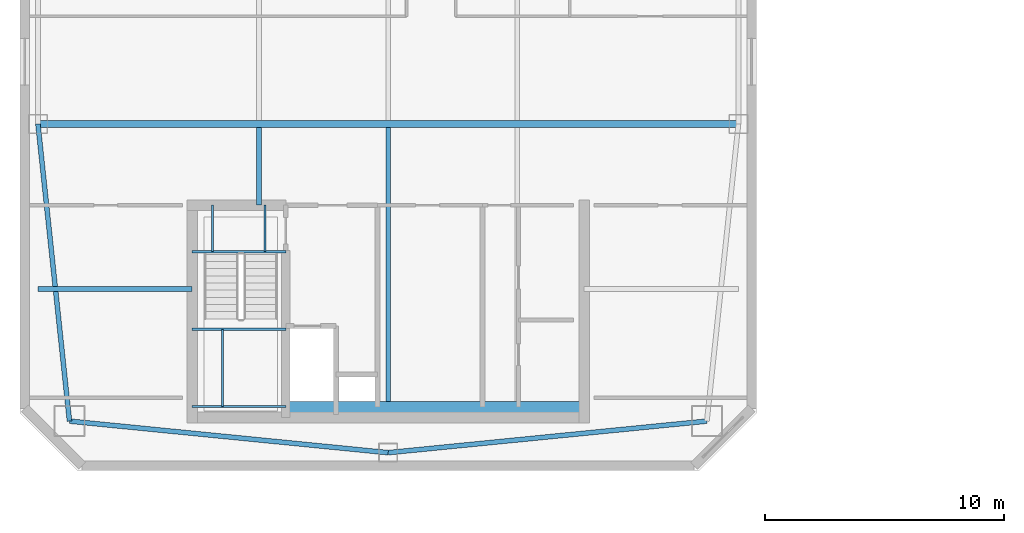
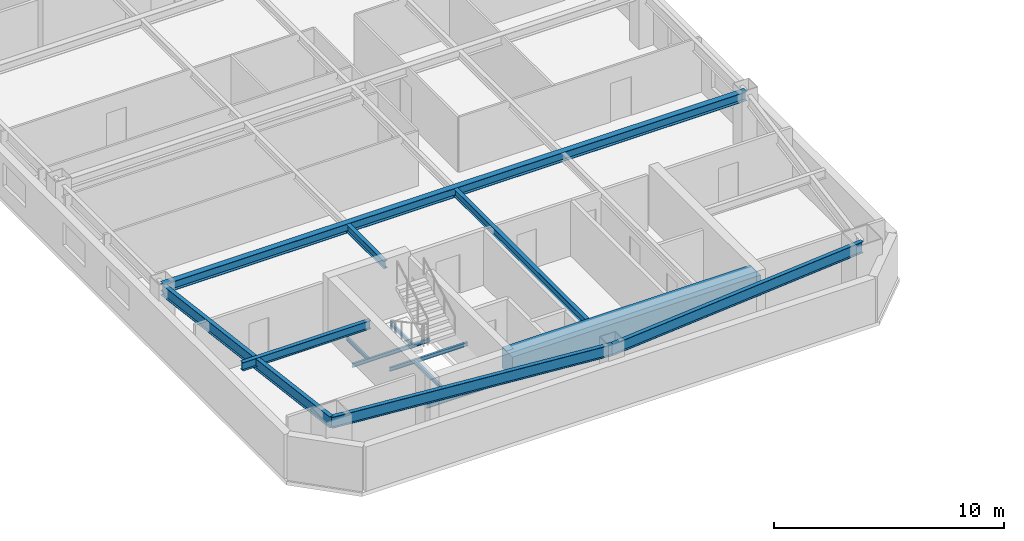
# One storey, part 3 of 20: 14 beams.
"""IFC4 building model written with IfcOpenShell, lengths in metres."""

from ifc_helpers import new_model, si_unit, direction, frame, origin, origin_2d, place, context, subcontext, project, spatial, rectangle, i_section, extrude, material, material_profile, profile_set, type_object, element, save


model = new_model("IFC4")

# Units and contexts
model_context = context("Model", 3, precision=1e-05, world=origin(), true_north=direction((0.0, 1.0)))
body_context = subcontext(model_context, "Body", "Model", "MODEL_VIEW")
ifc_project = project(units=[si_unit("LENGTHUNIT", "METRE"), si_unit("AREAUNIT", "SQUARE_METRE"), si_unit("VOLUMEUNIT", "CUBIC_METRE"), si_unit("PLANEANGLEUNIT", "RADIAN"), si_unit("MASSUNIT", "GRAM", prefix="KILO")], contexts=[model_context])

# Site, building, storey
site_placement = place(None, origin())
site = spatial("IfcSite", under=ifc_project, at=site_placement, CompositionType="ELEMENT")
building_placement = place(site_placement, origin())
building = spatial("IfcBuilding", under=site, at=building_placement, Name="Qiaolan Cultural Towers", CompositionType="ELEMENT")
storey_placement = place(building_placement, frame((0.0, 0.0, 244.0)))
storey = spatial("IfcBuildingStorey", under=building, at=storey_placement, Name="L66", CompositionType="ELEMENT", Elevation=244.0)

# Beams
ifc_material_1 = material(Name="Steel Q355B", Category="steel")
ifc_material_profile_1 = material_profile(ifc_material_1, i_section(OverallWidth=0.300048828125, OverallDepth=0.488037109375, WebThickness=0.010986328125, FlangeThickness=0.01806640625, at=origin_2d()), Name="HM488x300x11x18")
ifc_profile_set_1 = profile_set([ifc_material_profile_1], Name="Steel Q355B")
beam_type_1 = type_object("IfcBeamType", Name="BM-HM488x300x11x18", PredefinedType="BEAM", material=ifc_profile_set_1)
beam_1_placement = place(storey_placement, frame((15.35009765625, 25.0, 2.696044921875), z_axis=(1.0, 0.0, 0.0), x_axis=(0.0, 1.0, 0.0)))
element("IfcBeam", 1, at=beam_1_placement, inside=storey, type_object=beam_type_1, Name="L66 T1 Primary Transverse Girder V1", PredefinedType="BEAM", context=body_context, shape_type="SweptSolid", body=[
    extrude(i_section(OverallWidth=0.300048828125, OverallDepth=0.488037109375, WebThickness=0.010986328125, FlangeThickness=0.01806640625, at=origin_2d()), origin(), (0.0, 0.0, 1.0), 29.2998046875),
])
ifc_material_2 = material(Name="Steel Q355B", Category="steel")
ifc_material_profile_2 = material_profile(ifc_material_2, i_section(OverallWidth=0.199951171875, OverallDepth=0.39990234375, WebThickness=0.008056640625, FlangeThickness=0.012939453125, at=origin_2d()), Name="HN400x200x8x13")
ifc_profile_set_2 = profile_set([ifc_material_profile_2], Name="Steel Q355B")
beam_type_2 = type_object("IfcBeamType", Name="BM-JST-HN400x200x8x13", PredefinedType="JOIST", material=ifc_profile_set_2)
beam_2_placement = place(storey_placement, frame((24.60009765625, 21.60009765625, 2.739990234375), z_axis=(0.0, 1.0, 0.0), x_axis=(-1.0, 0.0, 0.0)))
element("IfcBeam", 2, at=beam_2_placement, inside=storey, type_object=beam_type_2, Name="L66 T1 Secondary Floor Joist U1-1", PredefinedType="JOIST", context=body_context, shape_type="SweptSolid", body=[
    extrude(i_section(OverallWidth=0.199951171875, OverallDepth=0.39990234375, WebThickness=0.008056640625, FlangeThickness=0.012939453125, at=origin_2d()), origin(), (0.0, 0.0, 1.0), 3.25),
])
beam_3_placement = place(storey_placement, frame((30.0, 13.39990234375, 2.739990234375), z_axis=(0.0, 1.0, 0.0), x_axis=(-1.0, 0.0, 0.0)))
element("IfcBeam", 3, at=beam_3_placement, inside=storey, type_object=beam_type_2, Name="L66 T1 Secondary Floor Joist U2-1", PredefinedType="JOIST", context=body_context, shape_type="SweptSolid", body=[
    extrude(i_section(OverallWidth=0.199951171875, OverallDepth=0.39990234375, WebThickness=0.008056640625, FlangeThickness=0.012939453125, at=origin_2d()), origin(), (0.0, 0.0, 1.0), 11.4501953125),
])
ifc_material_3 = material(Name="Steel Q355B", Category="steel")
ifc_material_profile_3 = material_profile(ifc_material_3, i_section(OverallWidth=0.199951171875, OverallDepth=0.449951171875, WebThickness=0.009033203125, FlangeThickness=0.013916015625, at=origin_2d()), Name="HN450x200x9x14")
ifc_profile_set_3 = profile_set([ifc_material_profile_3], Name="Steel Q355B")
beam_type_3 = type_object("IfcBeamType", Name="BM-LNT-HN450x200x9x14", PredefinedType="LINTEL", material=ifc_profile_set_3)
beam_4_placement = place(storey_placement, frame((21.800048828125, 18.10009765625, 2.715087890625), z_axis=(-1.0, 0.0, 0.0), x_axis=(0.0, -1.0, 0.0)))
element("IfcBeam", 4, at=beam_4_placement, inside=storey, type_object=beam_type_3, Name="L66 T1 Core Flank Tie Lintel WS", PredefinedType="LINTEL", context=body_context, shape_type="SweptSolid", body=[
    extrude(i_section(OverallWidth=0.199951171875, OverallDepth=0.449951171875, WebThickness=0.009033203125, FlangeThickness=0.013916015625, at=origin_2d()), origin(), (0.0, 0.0, 1.0), 6.449951171875),
])
ifc_material_4 = material(Name="Concrete C50", Category="concrete")
ifc_material_profile_4 = material_profile(ifc_material_4, rectangle(XDim=0.89990234375, YDim=1.10009765625, at=origin_2d()), Name="RC900x1100")
ifc_profile_set_4 = profile_set([ifc_material_profile_4], Name="Concrete C50")
beam_type_4 = type_object("IfcBeamType", Name="BM-RC900x1100", PredefinedType="BEAM", material=ifc_profile_set_4)
beam_5_placement = place(storey_placement, frame((25.719970703125, 12.949951171875, 2.389892578125), z_axis=(1.0, 0.0, 0.0), x_axis=(0.0, 1.0, 0.0)))
element("IfcBeam", 5, at=beam_5_placement, inside=storey, type_object=beam_type_4, Name="L66 T1 Core Header Girder S", PredefinedType="BEAM", context=body_context, shape_type="SweptSolid", body=[
    extrude(rectangle(XDim=0.89990234375, YDim=1.10009765625, at=origin_2d()), origin(), (0.0, 0.0, 1.0), 12.47998046875),
])
ifc_material_5 = material(Name="Steel Q355B", Category="steel")
ifc_material_profile_5 = material_profile(ifc_material_5, i_section(OverallWidth=0.199951171875, OverallDepth=0.60009765625, WebThickness=0.010986328125, FlangeThickness=0.01708984375, at=origin_2d()), Name="HN600x200x11x17")
ifc_profile_set_5 = profile_set([ifc_material_profile_5], Name="Steel Q355B")
beam_type_5 = type_object("IfcBeamType", Name="BM-SPD-HN600x200x11x17", PredefinedType="SPANDREL", material=ifc_profile_set_5)
for number, where, z_axis, x_axis, name in (
    (6, (16.669921875, 12.570068359375, 2.639892578125), (0.995132371263, -0.098547266143, 0.0), (0.098547266143, 0.995132371263, 0.0), "L66 T1 Perimeter Spandrel Beam 1"),
    (7, (30.0, 11.25, 2.639892578125), (0.995132371263, 0.098547266143, 0.0), (-0.098547266143, 0.995132371263, 0.0), "L66 T1 Perimeter Spandrel Beam 2"),
):
    element("IfcBeam", number, at=place(storey_placement, frame(where, z_axis=z_axis, x_axis=x_axis)), inside=storey, type_object=beam_type_5, Name=name, PredefinedType="SPANDREL", context=body_context, shape_type="SweptSolid", body=[
        extrude(i_section(OverallWidth=0.199951171875, OverallDepth=0.60009765625, WebThickness=0.010986328125, FlangeThickness=0.01708984375, at=origin_2d()), origin(), (0.0, 0.0, 1.0), 13.395263671875),
    ])
beam_6_placement = place(storey_placement, frame((15.35009765625, 25.0, 2.639892578125), z_axis=(0.105587580773, -0.994410007384, 0.0), x_axis=(0.994410007384, 0.105587580773, 0.0)))
element("IfcBeam", 8, at=beam_6_placement, inside=storey, type_object=beam_type_5, Name="L66 T1 Perimeter Spandrel Beam 12", PredefinedType="SPANDREL", context=body_context, shape_type="SweptSolid", body=[
    extrude(i_section(OverallWidth=0.199951171875, OverallDepth=0.60009765625, WebThickness=0.010986328125, FlangeThickness=0.01708984375, at=origin_2d()), origin(), (0.0, 0.0, 1.0), 12.499755859375),
])
ifc_material_6 = material(Name="Steel Q355B", Category="steel")
ifc_material_profile_6 = material_profile(ifc_material_6, i_section(OverallWidth=0.10009765625, OverallDepth=0.199951171875, WebThickness=0.005615234375, FlangeThickness=0.008056640625, at=origin_2d()), Name="HN200x100x5.5x8")
ifc_profile_set_6 = profile_set([ifc_material_profile_6], Name="Steel Q355B")
beam_type_6 = type_object("IfcBeamType", Name="BM-STTRIM-200", PredefinedType="BEAM", material=ifc_profile_set_6)
beam_7_placement = place(storey_placement, frame((21.800048828125, 19.659912109375, -0.4599609375), z_axis=(1.0, 0.0, 0.0), x_axis=(0.0, 1.0, 0.0)))
element("IfcBeam", 9, at=beam_7_placement, inside=storey, type_object=beam_type_6, Name="L66 ST-W1 Floor Landing Header Beam", PredefinedType="BEAM", context=body_context, shape_type="SweptSolid", body=[
    extrude(i_section(OverallWidth=0.10009765625, OverallDepth=0.199951171875, WebThickness=0.005615234375, FlangeThickness=0.008056640625, at=origin_2d()), origin(), (0.0, 0.0, 1.0), 3.919921875),
])
for number, where, z_axis, x_axis, name in (
    (10, (22.64990234375, 21.60009765625, -0.4599609375), (0.0, -1.0, 0.0), (1.0, 0.0, 0.0), "L66 ST-W1 Floor Landing Stringer 1"),
    (11, (24.85009765625, 21.60009765625, -0.4599609375), (0.0, -1.0, 0.0), (1.0, 0.0, 0.0), "L66 ST-W1 Floor Landing Stringer 2"),
):
    element("IfcBeam", number, at=place(storey_placement, frame(where, z_axis=z_axis, x_axis=x_axis)), inside=storey, type_object=beam_type_6, Name=name, PredefinedType="BEAM", context=body_context, shape_type="SweptSolid", body=[
        extrude(i_section(OverallWidth=0.10009765625, OverallDepth=0.199951171875, WebThickness=0.005615234375, FlangeThickness=0.008056640625, at=origin_2d()), origin(), (0.0, 0.0, 1.0), 1.940185546875),
    ])
for number, where, z_axis, x_axis, name in (
    (12, (21.800048828125, 16.411376953125, 1.300048828125), (1.0, 0.0, 0.0), (0.0, 1.0, 0.0), "L66 ST-W1 Stair Landing Support Beam 1-1"),
    (13, (21.800048828125, 13.179931640625, 1.300048828125), (1.0, 0.0, 0.0), (0.0, 1.0, 0.0), "L66 ST-W1 Stair Landing Support Beam 1-2"),
):
    element("IfcBeam", number, at=place(storey_placement, frame(where, z_axis=z_axis, x_axis=x_axis)), inside=storey, type_object=beam_type_6, Name=name, PredefinedType="BEAM", context=body_context, shape_type="SweptSolid", body=[
        extrude(i_section(OverallWidth=0.10009765625, OverallDepth=0.199951171875, WebThickness=0.005615234375, FlangeThickness=0.008056640625, at=origin_2d()), origin(), (0.0, 0.0, 1.0), 3.919921875),
    ])
beam_8_placement = place(storey_placement, frame((23.070068359375, 16.411376953125, 1.300048828125), z_axis=(0.0, -1.0, 0.0), x_axis=(1.0, 0.0, 0.0)))
element("IfcBeam", 14, at=beam_8_placement, inside=storey, type_object=beam_type_6, Name="L66 ST-W1 Stair Landing Trimmer 1", PredefinedType="BEAM", context=body_context, shape_type="SweptSolid", body=[
    extrude(i_section(OverallWidth=0.10009765625, OverallDepth=0.199951171875, WebThickness=0.005615234375, FlangeThickness=0.008056640625, at=origin_2d()), origin(), (0.0, 0.0, 1.0), 3.2314453125),
])

save(model, "model.ifc")
